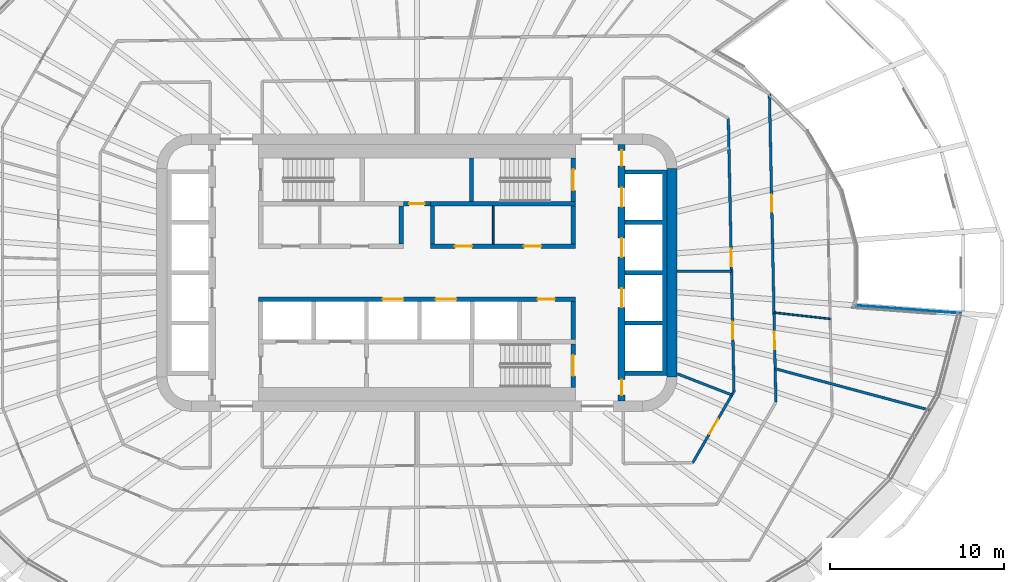
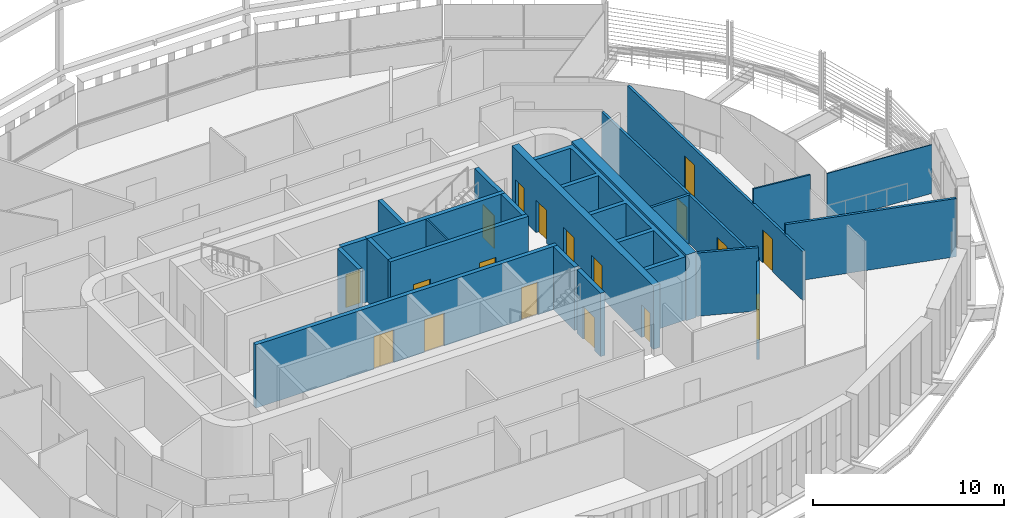
# One storey, part 16 of 28: 23 walls, 18 doors, 18 openings.
"""IFC4 building model written with IfcOpenShell, lengths in metres."""

from ifc_helpers import new_model, si_unit, direction, frame, frame_2d, origin, place, context, subcontext, project, spatial, polyline, rectangle, outline, extrude, material, layer, layer_set, type_object, element, fill, save


model = new_model("IFC4")

# Units and contexts
model_context = context("Model", 3, precision=1e-05, world=origin(), true_north=direction((0.0, 1.0)))
body_context = subcontext(model_context, "Body", "Model", "MODEL_VIEW")
ifc_project = project(units=[si_unit("LENGTHUNIT", "METRE"), si_unit("AREAUNIT", "SQUARE_METRE"), si_unit("VOLUMEUNIT", "CUBIC_METRE"), si_unit("PLANEANGLEUNIT", "RADIAN"), si_unit("MASSUNIT", "GRAM", prefix="KILO")], contexts=[model_context])

# Site, building, storey
site_placement = place(None, origin())
site = spatial("IfcSite", under=ifc_project, at=site_placement, CompositionType="ELEMENT")
building_placement = place(site_placement, origin())
building = spatial("IfcBuilding", under=site, at=building_placement, Name="Sahrelin Media Tower", CompositionType="ELEMENT")
storey_placement = place(building_placement, frame((0.0, 0.0, 75.60009765625)))
storey = spatial("IfcBuildingStorey", under=building, at=storey_placement, Name="L13", CompositionType="ELEMENT", Elevation=75.60009765625)

# Wall
ifc_material_1 = material(Name="Concrete C60/75", Category="concrete")
ifc_layer_1 = layer(ifc_material_1, 0.60009765625)
ifc_layer_set_1 = layer_set([ifc_layer_1], Name="Core wall 600")
wall_type_1 = type_object("IfcWallType", Name="Core wall 600", PredefinedType="SHEAR", material=ifc_layer_set_1)
wall_1_placement = place(storey_placement, frame((14.699951171875, -6.0, 0.0), z_axis=(0.0, 0.0, 1.0), x_axis=(0.0, 1.0, 0.0)))
element("IfcWall", 1, at=wall_1_placement, inside=storey, type_object=wall_type_1, Name="Core wall E L13", PredefinedType="SHEAR", context=body_context, shape_type="SweptSolid", body=[
    extrude(rectangle(XDim=12.0, YDim=0.60009765625, at=frame_2d((6.0, 0.0))), origin(), (0.0, 0.0, 1.0), 4.199951171875),
])

# Wall, opening, door
ifc_material_2 = material(Name="Fire-rated gypsum board partition")
ifc_layer_2 = layer(ifc_material_2, 0.25)
ifc_layer_set_2 = layer_set([ifc_layer_2], Name="Fire-rated lobby wall 250")
wall_type_2 = type_object("IfcWallType", Name="Fire-rated lobby wall 250", PredefinedType="PARTITIONING", material=ifc_layer_set_2)
wall_2_placement = place(storey_placement, frame((-0.77490234375, 3.97509765625, 0.0), z_axis=(0.0, 0.0, 1.0), x_axis=(1.0, 0.0, 0.0)))
wall_2 = element("IfcWall", 2, at=wall_2_placement, inside=storey, type_object=wall_type_2, Name="Core lobby wall", PredefinedType="PARTITIONING", context=body_context, shape_type="SweptSolid", body=[
    extrude(rectangle(XDim=1.5498046875, YDim=0.25, at=frame_2d((0.77490234375, 0.0))), origin(), (0.0, 0.0, 1.0), 4.0498046875),
])
opening_1_placement = place(wall_2_placement, frame((0.324951171875, 0.0, 0.0)))
opening_1 = element("IfcOpeningElement", 3, at=opening_1_placement, cuts=wall_2, Name="Opening L13-D06", PredefinedType="OPENING", context=body_context, shape_type="SweptSolid", body=[
    extrude(rectangle(XDim=0.89990234375, YDim=2.10009765625, at=frame_2d((0.449951171875, 1.050048828125))), frame((0.0, 0.125, 0.0), z_axis=(0.0, -1.0, 0.0), x_axis=(1.0, 0.0, 0.0)), (0.0, 0.0, 1.0), 0.25),
])
ifc_material_3 = material(Name="Steel fire door leaf", Category="steel")
door_type_1 = type_object("IfcDoorType", Name="Riser door 900 x 2100 EI 120", OperationType="NOTDEFINED", PredefinedType="DOOR", material=ifc_material_3)
door_1_placement = place(opening_1_placement, origin())
door_1 = element("IfcDoor", 4, at=door_1_placement, inside=storey, type_object=door_type_1, Name="Core room door", OperationType="SINGLE_SWING_LEFT", OverallHeight=2.10009765625, OverallWidth=0.89990234375, PredefinedType="DOOR", context=body_context, shape_type="SweptSolid", body=[
    extrude(rectangle(XDim=0.89990234375, YDim=2.10009765625, at=frame_2d((0.449951171875, 1.050048828125))), frame((0.0, 0.02490234375, 0.0), z_axis=(0.0, -1.0, 0.0), x_axis=(1.0, 0.0, 0.0)), (0.0, 0.0, 1.0), 0.050048828125),
])
fill(opening_1, door_1)

# Wall, openings, doors
wall_3_placement = place(storey_placement, frame((0.77490234375, 1.52490234375, 0.0), z_axis=(0.0, 0.0, 1.0), x_axis=(1.0, 0.0, 0.0)))
wall_3 = element("IfcWall", 5, at=wall_3_placement, inside=storey, type_object=wall_type_2, Name="Core lobby wall", PredefinedType="PARTITIONING", context=body_context, shape_type="SweptSolid", body=[
    extrude(rectangle(XDim=8.35009765625, YDim=0.25, at=frame_2d((4.175048828125, 0.0))), origin(), (0.0, 0.0, 1.0), 4.0498046875),
])
opening_2_placement = place(wall_3_placement, frame((1.41259765625, 0.0, 0.0)))
opening_2 = element("IfcOpeningElement", 6, at=opening_2_placement, cuts=wall_3, Name="Opening L13-D09", PredefinedType="OPENING", context=body_context, shape_type="SweptSolid", body=[
    extrude(rectangle(XDim=1.0, YDim=2.10009765625, at=frame_2d((0.5, 1.050048828125))), frame((0.0, 0.125, 0.0), z_axis=(0.0, -1.0, 0.0), x_axis=(1.0, 0.0, 0.0)), (0.0, 0.0, 1.0), 0.25),
])
opening_3_placement = place(wall_3_placement, frame((5.387451171875, 0.0, 0.0)))
opening_3 = element("IfcOpeningElement", 7, at=opening_3_placement, cuts=wall_3, Name="Opening L13-D10", PredefinedType="OPENING", context=body_context, shape_type="SweptSolid", body=[
    extrude(rectangle(XDim=1.0, YDim=2.10009765625, at=frame_2d((0.5, 1.050048828125))), frame((0.0, 0.125, 0.0), z_axis=(0.0, -1.0, 0.0), x_axis=(1.0, 0.0, 0.0)), (0.0, 0.0, 1.0), 0.25),
])
door_type_2 = type_object("IfcDoorType", Name="Fire door 1000 x 2100 EI 60", OperationType="NOTDEFINED", PredefinedType="DOOR", material=ifc_material_3)
door_2_placement = place(opening_2_placement, origin())
door_2 = element("IfcDoor", 8, at=door_2_placement, inside=storey, type_object=door_type_2, Name="Core room door", OperationType="SINGLE_SWING_LEFT", OverallHeight=2.10009765625, OverallWidth=1.0, PredefinedType="DOOR", context=body_context, shape_type="SweptSolid", body=[
    extrude(rectangle(XDim=1.0, YDim=2.10009765625, at=frame_2d((0.5, 1.050048828125))), frame((0.0, 0.02490234375, 0.0), z_axis=(0.0, -1.0, 0.0), x_axis=(1.0, 0.0, 0.0)), (0.0, 0.0, 1.0), 0.050048828125),
])
fill(opening_2, door_2)
door_3_placement = place(opening_3_placement, origin())
door_3 = element("IfcDoor", 9, at=door_3_placement, inside=storey, type_object=door_type_2, Name="Core room door", OperationType="SINGLE_SWING_LEFT", OverallHeight=2.10009765625, OverallWidth=1.0, PredefinedType="DOOR", context=body_context, shape_type="SweptSolid", body=[
    extrude(rectangle(XDim=1.0, YDim=2.10009765625, at=frame_2d((0.5, 1.050048828125))), frame((0.0, 0.02490234375, 0.0), z_axis=(0.0, -1.0, 0.0), x_axis=(1.0, 0.0, 0.0)), (0.0, 0.0, 1.0), 0.050048828125),
])
fill(opening_3, door_3)

# Walls
for number, where, z_axis, x_axis, name in (
    (10, (-0.89990234375, 1.64990234375, 0.0), (0.0, 0.0, 1.0), (0.0, 1.0, 0.0), "Core lobby wall"),
    (11, (9.0, 1.64990234375, 0.0), (0.0, 0.0, 1.0), (0.0, 1.0, 0.0), "Core lobby wall"),
    (12, (0.89990234375, 1.64990234375, 0.0), (0.0, 0.0, 1.0), (0.0, 1.0, 0.0), "Core lobby wall"),
):
    element("IfcWall", number, at=place(storey_placement, frame(where, z_axis=z_axis, x_axis=x_axis)), inside=storey, type_object=wall_type_2, Name=name, PredefinedType="PARTITIONING", context=body_context, shape_type="SweptSolid", body=[
        extrude(rectangle(XDim=2.2001953125, YDim=0.25, at=frame_2d((1.10009765625, 0.0))), origin(), (0.0, 0.0, 1.0), 4.0498046875),
    ])
ifc_layer_3 = layer(ifc_material_2, 0.10009765625)
ifc_layer_set_3 = layer_set([ifc_layer_3], Name="Fire-rated partition 100")
wall_type_3 = type_object("IfcWallType", Name="Fire-rated partition 100", PredefinedType="PARTITIONING", material=ifc_layer_set_3)
wall_4_placement = place(storey_placement, frame((4.39990234375, 1.64990234375, 0.0), z_axis=(0.0, 0.0, 1.0), x_axis=(0.0, 1.0, 0.0)))
element("IfcWall", 13, at=wall_4_placement, inside=storey, type_object=wall_type_3, Name="Core room partition", PredefinedType="PARTITIONING", context=body_context, shape_type="SweptSolid", body=[
    extrude(rectangle(XDim=2.2001953125, YDim=0.10009765625, at=frame_2d((1.10009765625, 0.0))), origin(), (0.0, 0.0, 1.0), 4.0498046875),
])

# Wall, openings, doors
ifc_layer_4 = layer(ifc_material_2, 0.14990234375)
ifc_layer_set_4 = layer_set([ifc_layer_4], Name="Fire-rated partition 150")
wall_type_4 = type_object("IfcWallType", Name="Fire-rated partition 150", PredefinedType="PARTITIONING", material=ifc_layer_set_4)
wall_5_placement = place(storey_placement, frame((17.944091796875, 8.89892578125, 0.0), z_axis=(0.0, 0.0, 1.0), x_axis=(0.020766159807, -0.999784360053, 0.0)))
wall_5 = element("IfcWall", 14, at=wall_5_placement, inside=storey, type_object=wall_type_4, Name="Wall", PredefinedType="PARTITIONING", context=body_context, shape_type="SweptSolid", body=[
    extrude(rectangle(XDim=15.7421875, YDim=0.14990234375, at=frame_2d((7.87109375, 0.0))), origin(), (0.0, 0.0, 1.0), 3.1181640625),
])
opening_4_placement = place(wall_5_placement, frame((11.72021484375, 0.0, 0.0)))
opening_4 = element("IfcOpeningElement", 15, at=opening_4_placement, cuts=wall_5, Name="Opening L13-D23", PredefinedType="OPENING", context=body_context, shape_type="SweptSolid", body=[
    extrude(rectangle(XDim=1.0, YDim=2.10009765625, at=frame_2d((0.5, 1.050048828125))), frame((0.0, 0.074951171875, 0.0), z_axis=(0.0, -1.0, 0.0), x_axis=(1.0, 0.0, 0.0)), (0.0, 0.0, 1.0), 0.14990234375),
])
opening_5_placement = place(wall_5_placement, frame((7.532958984375, 0.0, 0.0)))
opening_5 = element("IfcOpeningElement", 16, at=opening_5_placement, cuts=wall_5, Name="Opening L13-D24", PredefinedType="OPENING", context=body_context, shape_type="SweptSolid", body=[
    extrude(rectangle(XDim=1.0, YDim=2.10009765625, at=frame_2d((0.5, 1.050048828125))), frame((0.0, 0.074951171875, 0.0), z_axis=(0.0, -1.0, 0.0), x_axis=(1.0, 0.0, 0.0)), (0.0, 0.0, 1.0), 0.14990234375),
])
door_4_placement = place(opening_4_placement, origin())
door_4 = element("IfcDoor", 17, at=door_4_placement, inside=storey, type_object=door_type_2, Name="Fire door", OperationType="SINGLE_SWING_RIGHT", OverallHeight=2.10009765625, OverallWidth=1.0, PredefinedType="DOOR", context=body_context, shape_type="SweptSolid", body=[
    extrude(rectangle(XDim=1.0, YDim=2.10009765625, at=frame_2d((0.5, 1.050048828125))), frame((0.0, 0.02490234375, 0.0), z_axis=(0.0, -1.0, 0.0), x_axis=(1.0, 0.0, 0.0)), (0.0, 0.0, 1.0), 0.050048828125),
])
fill(opening_4, door_4)
door_5_placement = place(opening_5_placement, origin())
door_5 = element("IfcDoor", 18, at=door_5_placement, inside=storey, type_object=door_type_2, Name="Fire door", OperationType="SINGLE_SWING_LEFT", OverallHeight=2.10009765625, OverallWidth=1.0, PredefinedType="DOOR", context=body_context, shape_type="SweptSolid", body=[
    extrude(rectangle(XDim=1.0, YDim=2.10009765625, at=frame_2d((0.5, 1.050048828125))), frame((0.0, 0.02490234375, 0.0), z_axis=(0.0, -1.0, 0.0), x_axis=(1.0, 0.0, 0.0)), (0.0, 0.0, 1.0), 0.050048828125),
])
fill(opening_5, door_5)

wall_6_placement = place(storey_placement, frame((20.314453125, 10.301025390625, 0.0), z_axis=(0.0, 0.0, 1.0), x_axis=(0.020779303351, -0.999784086967, 0.0)))
wall_6 = element("IfcWall", 19, at=wall_6_placement, inside=storey, type_object=wall_type_4, Name="Wall", PredefinedType="PARTITIONING", context=body_context, shape_type="SweptSolid", body=[
    extrude(rectangle(XDim=17.764892578125, YDim=0.14990234375, at=frame_2d((8.88232421875, 0.0))), origin(), (0.0, 0.0, 1.0), 3.1181640625),
])
opening_6_placement = place(wall_6_placement, frame((13.713623046875, 0.0, 0.0)))
opening_6 = element("IfcOpeningElement", 20, at=opening_6_placement, cuts=wall_6, Name="Opening L13-D38", PredefinedType="OPENING", context=body_context, shape_type="SweptSolid", body=[
    extrude(rectangle(XDim=1.0, YDim=2.10009765625, at=frame_2d((0.5, 1.050048828125))), frame((0.0, 0.074951171875, 0.0), z_axis=(0.0, -1.0, 0.0), x_axis=(1.0, 0.0, 0.0)), (0.0, 0.0, 1.0), 0.14990234375),
])
opening_7_placement = place(wall_6_placement, frame((5.796630859375, 0.0, 0.0)))
opening_7 = element("IfcOpeningElement", 21, at=opening_7_placement, cuts=wall_6, Name="Opening L13-D39", PredefinedType="OPENING", context=body_context, shape_type="SweptSolid", body=[
    extrude(rectangle(XDim=1.0, YDim=2.10009765625, at=frame_2d((0.5, 1.050048828125))), frame((0.0, 0.074951171875, 0.0), z_axis=(0.0, -1.0, 0.0), x_axis=(1.0, 0.0, 0.0)), (0.0, 0.0, 1.0), 0.14990234375),
])
door_6_placement = place(opening_6_placement, origin())
door_6 = element("IfcDoor", 22, at=door_6_placement, inside=storey, type_object=door_type_2, Name="Fire door", OperationType="SINGLE_SWING_LEFT", OverallHeight=2.10009765625, OverallWidth=1.0, PredefinedType="DOOR", context=body_context, shape_type="SweptSolid", body=[
    extrude(rectangle(XDim=1.0, YDim=2.10009765625, at=frame_2d((0.5, 1.050048828125))), frame((0.0, 0.02490234375, 0.0), z_axis=(0.0, -1.0, 0.0), x_axis=(1.0, 0.0, 0.0)), (0.0, 0.0, 1.0), 0.050048828125),
])
fill(opening_6, door_6)
door_7_placement = place(opening_7_placement, origin())
door_7 = element("IfcDoor", 23, at=door_7_placement, inside=storey, type_object=door_type_2, Name="Fire door", OperationType="SINGLE_SWING_RIGHT", OverallHeight=2.10009765625, OverallWidth=1.0, PredefinedType="DOOR", context=body_context, shape_type="SweptSolid", body=[
    extrude(rectangle(XDim=1.0, YDim=2.10009765625, at=frame_2d((0.5, 1.050048828125))), frame((0.0, 0.02490234375, 0.0), z_axis=(0.0, -1.0, 0.0), x_axis=(1.0, 0.0, 0.0)), (0.0, 0.0, 1.0), 0.050048828125),
])
fill(opening_7, door_7)

# Walls
wall_7_placement = place(storey_placement, frame((15.0, -5.822021484375, 0.0), z_axis=(0.0, 0.0, 1.0), x_axis=(0.932341922019, -0.36157784839, 0.0)))
element("IfcWall", 24, at=wall_7_placement, inside=storey, type_object=wall_type_4, Name="Wall", PredefinedType="PARTITIONING", context=body_context, shape_type="SweptSolid", body=[
    extrude(rectangle(XDim=3.378662109375, YDim=0.14990234375, at=frame_2d((1.689453125, 0.0))), origin(), (0.0, 0.0, 1.0), 4.0498046875),
])
wall_8_placement = place(storey_placement, frame((20.64111328125, -5.531005859375, 0.0), z_axis=(0.0, 0.0, 1.0), x_axis=(0.965912819534, -0.258867582095, 0.0)))
element("IfcWall", 25, at=wall_8_placement, inside=storey, type_object=wall_type_4, Name="Wall", PredefinedType="PARTITIONING", context=body_context, shape_type="SweptSolid", body=[
    extrude(rectangle(XDim=9.2802734375, YDim=0.14990234375, at=frame_2d((4.64013671875, 0.0))), origin(), (0.0, 0.0, 1.0), 3.7265625),
])
wall_9_placement = place(storey_placement, frame((15.0, 0.080078125, 0.0), z_axis=(0.0, 0.0, 1.0), x_axis=(0.999985888971, 0.005312425035, 0.0)))
element("IfcWall", 26, at=wall_9_placement, inside=storey, type_object=wall_type_4, Name="Wall", PredefinedType="PARTITIONING", context=body_context, shape_type="SweptSolid", body=[
    extrude(rectangle(XDim=3.125, YDim=0.14990234375, at=frame_2d((1.5625, 0.0))), origin(), (0.0, 0.0, 1.0), 3.1181640625),
])

# Wall, opening, door
wall_10_placement = place(storey_placement, frame((15.891845703125, -10.9541015625, 0.0), z_axis=(0.0, 0.0, 1.0), x_axis=(0.50019540779, 0.865912555646, 0.0)))
wall_10 = element("IfcWall", 27, at=wall_10_placement, inside=storey, type_object=wall_type_4, Name="Wall", PredefinedType="PARTITIONING", context=body_context, shape_type="SweptSolid", body=[
    extrude(rectangle(XDim=4.7509765625, YDim=0.14990234375, at=frame_2d((2.37548828125, 0.0))), origin(), (0.0, 0.0, 1.0), 3.195068359375),
])
opening_8_placement = place(wall_10_placement, frame((1.923828125, 0.0, 0.0)))
opening_8 = element("IfcOpeningElement", 28, at=opening_8_placement, cuts=wall_10, Name="Opening L13-D22", PredefinedType="OPENING", context=body_context, shape_type="SweptSolid", body=[
    extrude(rectangle(XDim=1.0, YDim=2.10009765625, at=frame_2d((0.5, 1.050048828125))), frame((0.0, 0.074951171875, 0.0), z_axis=(0.0, -1.0, 0.0), x_axis=(1.0, 0.0, 0.0)), (0.0, 0.0, 1.0), 0.14990234375),
])
door_8_placement = place(opening_8_placement, origin())
door_8 = element("IfcDoor", 29, at=door_8_placement, inside=storey, type_object=door_type_2, Name="Fire door", OperationType="SINGLE_SWING_RIGHT", OverallHeight=2.10009765625, OverallWidth=1.0, PredefinedType="DOOR", context=body_context, shape_type="SweptSolid", body=[
    extrude(rectangle(XDim=1.0, YDim=2.10009765625, at=frame_2d((0.5, 1.050048828125))), frame((0.0, 0.02490234375, 0.0), z_axis=(0.0, -1.0, 0.0), x_axis=(1.0, 0.0, 0.0)), (0.0, 0.0, 1.0), 0.050048828125),
])
fill(opening_8, door_8)

# Wall
ifc_material_4 = material(Name="Clear glass", Category="glass")
ifc_layer_5 = layer(ifc_material_4, 0.050048828125)
ifc_layer_set_5 = layer_set([ifc_layer_5], Name="Glazed partition 50")
wall_type_5 = type_object("IfcWallType", Name="Glazed partition 50", PredefinedType="PARTITIONING", material=ifc_layer_set_5)
wall_11_placement = place(storey_placement, frame((25.281005859375, -1.885986328125, 0.0), z_axis=(0.0, 0.0, 1.0), x_axis=(0.997231640207, -0.074357620797, 0.0)))
element("IfcWall", 30, at=wall_11_placement, inside=storey, type_object=wall_type_5, Name="Wall", PredefinedType="PARTITIONING", context=body_context, shape_type="SweptSolid", body=[
    extrude(rectangle(XDim=6.10693359375, YDim=0.050048828125, at=frame_2d((3.053466796875, 0.0))), origin(), (0.0, 0.0, 1.0), 3.126953125),
])

# Wall, openings, doors
ifc_layer_6 = layer(ifc_material_1, 0.25)
ifc_layer_set_6 = layer_set([ifc_layer_6], Name="Lift shaft wall 250")
wall_type_6 = type_object("IfcWallType", Name="Lift shaft wall 250", PredefinedType="SOLIDWALL", material=ifc_layer_set_6)
wall_12_placement = place(storey_placement, frame((-9.125, -1.52490234375, 0.0), z_axis=(0.0, 0.0, 1.0), x_axis=(1.0, 0.0, 0.0)))
wall_12 = element("IfcWall", 31, at=wall_12_placement, inside=storey, type_object=wall_type_6, Name="Lift shaft wall", PredefinedType="SOLIDWALL", context=body_context, shape_type="SweptSolid", body=[
    extrude(rectangle(XDim=18.25, YDim=0.25, at=frame_2d((9.125, 0.0))), origin(), (0.0, 0.0, 1.0), 4.0498046875),
])
opening_9_placement = place(wall_12_placement, frame((7.14990234375, 0.0, 0.0)))
opening_9 = element("IfcOpeningElement", 32, at=opening_9_placement, cuts=wall_12, Name="Opening L13-LD-SV1", PredefinedType="OPENING", context=body_context, shape_type="SweptSolid", body=[
    extrude(rectangle(XDim=1.199951171875, YDim=2.10009765625, at=frame_2d((0.60009765625, 1.050048828125))), frame((0.0, 0.125, 0.0), z_axis=(0.0, -1.0, 0.0), x_axis=(1.0, 0.0, 0.0)), (0.0, 0.0, 1.0), 0.25),
])
opening_10_placement = place(wall_12_placement, frame((10.199951171875, 0.0, 0.0)))
opening_10 = element("IfcOpeningElement", 33, at=opening_10_placement, cuts=wall_12, Name="Opening L13-LD-SV2", PredefinedType="OPENING", context=body_context, shape_type="SweptSolid", body=[
    extrude(rectangle(XDim=1.199951171875, YDim=2.10009765625, at=frame_2d((0.60009765625, 1.050048828125))), frame((0.0, 0.125, 0.0), z_axis=(0.0, -1.0, 0.0), x_axis=(1.0, 0.0, 0.0)), (0.0, 0.0, 1.0), 0.25),
])
opening_11_placement = place(wall_12_placement, frame((16.074951171875, 0.0, 0.0)))
opening_11 = element("IfcOpeningElement", 34, at=opening_11_placement, cuts=wall_12, Name="Opening L13-D11", PredefinedType="OPENING", context=body_context, shape_type="SweptSolid", body=[
    extrude(rectangle(XDim=1.0, YDim=2.10009765625, at=frame_2d((0.5, 1.050048828125))), frame((0.0, 0.125, 0.0), z_axis=(0.0, -1.0, 0.0), x_axis=(1.0, 0.0, 0.0)), (0.0, 0.0, 1.0), 0.25),
])
door_9_placement = place(opening_11_placement, origin())
door_9 = element("IfcDoor", 35, at=door_9_placement, inside=storey, type_object=door_type_2, Name="Core room door", OperationType="SINGLE_SWING_RIGHT", OverallHeight=2.10009765625, OverallWidth=1.0, PredefinedType="DOOR", context=body_context, shape_type="SweptSolid", body=[
    extrude(rectangle(XDim=1.0, YDim=2.10009765625, at=frame_2d((0.5, 1.050048828125))), frame((0.0, 0.02490234375, 0.0), z_axis=(0.0, -1.0, 0.0), x_axis=(1.0, 0.0, 0.0)), (0.0, 0.0, 1.0), 0.050048828125),
])
fill(opening_11, door_9)
ifc_material_5 = material(Name="Stainless steel", Category="steel")
door_type_3 = type_object("IfcDoorType", Name="Lift landing door 1200 x 2100 EI 120", OperationType="DOUBLE_DOOR_SLIDING", PredefinedType="DOOR", material=ifc_material_5)
door_10_placement = place(opening_9_placement, origin())
door_10 = element("IfcDoor", 36, at=door_10_placement, inside=storey, type_object=door_type_3, Name="Lift landing door SV1", OperationType="DOUBLE_DOOR_SLIDING", OverallHeight=2.10009765625, OverallWidth=1.199951171875, PredefinedType="DOOR", context=body_context, shape_type="SweptSolid", body=[
    extrude(rectangle(XDim=1.199951171875, YDim=2.10009765625, at=frame_2d((0.60009765625, 1.050048828125))), frame((0.0, 0.02490234375, 0.0), z_axis=(0.0, -1.0, 0.0), x_axis=(1.0, 0.0, 0.0)), (0.0, 0.0, 1.0), 0.050048828125),
])
fill(opening_9, door_10)
door_11_placement = place(opening_10_placement, origin())
door_11 = element("IfcDoor", 37, at=door_11_placement, inside=storey, type_object=door_type_3, Name="Lift landing door SV2", OperationType="DOUBLE_DOOR_SLIDING", OverallHeight=2.10009765625, OverallWidth=1.199951171875, PredefinedType="DOOR", context=body_context, shape_type="SweptSolid", body=[
    extrude(rectangle(XDim=1.199951171875, YDim=2.10009765625, at=frame_2d((0.60009765625, 1.050048828125))), frame((0.0, 0.02490234375, 0.0), z_axis=(0.0, -1.0, 0.0), x_axis=(1.0, 0.0, 0.0)), (0.0, 0.0, 1.0), 0.050048828125),
])
fill(opening_10, door_11)

# Walls
wall_13_placement = place(storey_placement, frame((9.0, -3.85009765625, 0.0), z_axis=(0.0, 0.0, 1.0), x_axis=(0.0, 1.0, 0.0)))
element("IfcWall", 38, at=wall_13_placement, inside=storey, type_object=wall_type_6, Name="Lift shaft wall", PredefinedType="SOLIDWALL", context=body_context, shape_type="SweptSolid", body=[
    extrude(rectangle(XDim=2.2001953125, YDim=0.25, at=frame_2d((1.10009765625, 0.0))), origin(), (0.0, 0.0, 1.0), 4.0498046875),
])
wall_14_placement = place(storey_placement, origin())
element("IfcWall", 39, at=wall_14_placement, inside=storey, type_object=wall_type_6, Name="Lift shaft wall", PredefinedType="SOLIDWALL", context=body_context, shape_type="SweptSolid", body=[
    extrude(outline(polyline([(12.0, -5.675048828125), (12.0, -5.925048828125), (14.14990234375, -5.925048828125), (14.39990234375, -5.925048828125), (14.39990234375, -5.675048828125), (14.39990234375, -3.02490234375), (14.39990234375, -2.77490234375), (14.39990234375, -0.125), (14.39990234375, 0.125), (14.39990234375, 2.77490234375), (14.39990234375, 3.02490234375), (14.39990234375, 5.675048828125), (14.39990234375, 5.925048828125), (14.14990234375, 5.925048828125), (12.0, 5.925048828125), (12.0, 5.675048828125), (14.14990234375, 5.675048828125), (14.14990234375, 3.02490234375), (12.0, 3.02490234375), (12.0, 2.77490234375), (14.14990234375, 2.77490234375), (14.14990234375, 0.125), (12.0, 0.125), (12.0, -0.125), (14.14990234375, -0.125), (14.14990234375, -2.77490234375), (12.0, -2.77490234375), (12.0, -3.02490234375), (14.14990234375, -3.02490234375), (14.14990234375, -5.675048828125), (12.0, -5.675048828125)])), origin(), (0.0, 0.0, 1.0), 4.0498046875),
])

# Wall, openings, doors
ifc_layer_7 = layer(ifc_material_1, 0.39990234375)
ifc_layer_set_7 = layer_set([ifc_layer_7], Name="Lift shaft wall 400")
wall_type_7 = type_object("IfcWallType", Name="Lift shaft wall 400", PredefinedType="SOLIDWALL", material=ifc_layer_set_7)
wall_15_placement = place(storey_placement, frame((11.800048828125, -7.39990234375, 0.0), z_axis=(0.0, 0.0, 1.0), x_axis=(0.0, 1.0, 0.0)))
wall_15 = element("IfcWall", 40, at=wall_15_placement, inside=storey, type_object=wall_type_7, Name="Lift shaft wall", PredefinedType="SOLIDWALL", context=body_context, shape_type="SweptSolid", body=[
    extrude(rectangle(XDim=14.7998046875, YDim=0.39990234375, at=frame_2d((7.39990234375, 0.0))), origin(), (0.0, 0.0, 1.0), 4.0498046875),
])
opening_12_placement = place(wall_15_placement, frame((11.199951171875, 0.0, 0.0)))
opening_12 = element("IfcOpeningElement", 41, at=opening_12_placement, cuts=wall_15, Name="Opening L13-LD-LR4", PredefinedType="OPENING", context=body_context, shape_type="SweptSolid", body=[
    extrude(rectangle(XDim=1.10009765625, YDim=2.10009765625, at=frame_2d((0.550048828125, 1.050048828125))), frame((0.0, 0.199951171875, 0.0), z_axis=(0.0, -1.0, 0.0), x_axis=(1.0, 0.0, 0.0)), (0.0, 0.0, 1.0), 0.39990234375),
])
opening_13_placement = place(wall_15_placement, frame((8.300048828125, 0.0, 0.0)))
opening_13 = element("IfcOpeningElement", 42, at=opening_13_placement, cuts=wall_15, Name="Opening L13-LD-LR5", PredefinedType="OPENING", context=body_context, shape_type="SweptSolid", body=[
    extrude(rectangle(XDim=1.10009765625, YDim=2.10009765625, at=frame_2d((0.550048828125, 1.050048828125))), frame((0.0, 0.199951171875, 0.0), z_axis=(0.0, -1.0, 0.0), x_axis=(1.0, 0.0, 0.0)), (0.0, 0.0, 1.0), 0.39990234375),
])
opening_14_placement = place(wall_15_placement, frame((5.39990234375, 0.0, 0.0)))
opening_14 = element("IfcOpeningElement", 43, at=opening_14_placement, cuts=wall_15, Name="Opening L13-LD-LR6", PredefinedType="OPENING", context=body_context, shape_type="SweptSolid", body=[
    extrude(rectangle(XDim=1.10009765625, YDim=2.10009765625, at=frame_2d((0.550048828125, 1.050048828125))), frame((0.0, 0.199951171875, 0.0), z_axis=(0.0, -1.0, 0.0), x_axis=(1.0, 0.0, 0.0)), (0.0, 0.0, 1.0), 0.39990234375),
])
opening_15_placement = place(wall_15_placement, frame((13.552490234375, 0.0, 0.0)))
opening_15 = element("IfcOpeningElement", 44, at=opening_15_placement, cuts=wall_15, Name="Opening L13-D14", PredefinedType="OPENING", context=body_context, shape_type="SweptSolid", body=[
    extrude(rectangle(XDim=0.89990234375, YDim=2.10009765625, at=frame_2d((0.449951171875, 1.050048828125))), frame((0.0, 0.199951171875, 0.0), z_axis=(0.0, -1.0, 0.0), x_axis=(1.0, 0.0, 0.0)), (0.0, 0.0, 1.0), 0.39990234375),
])
opening_16_placement = place(wall_15_placement, frame((0.347412109375, 0.0, 0.0)))
opening_16 = element("IfcOpeningElement", 45, at=opening_16_placement, cuts=wall_15, Name="Opening L13-D15", PredefinedType="OPENING", context=body_context, shape_type="SweptSolid", body=[
    extrude(rectangle(XDim=0.89990234375, YDim=2.10009765625, at=frame_2d((0.449951171875, 1.050048828125))), frame((0.0, 0.199951171875, 0.0), z_axis=(0.0, -1.0, 0.0), x_axis=(1.0, 0.0, 0.0)), (0.0, 0.0, 1.0), 0.39990234375),
])
door_type_4 = type_object("IfcDoorType", Name="Lift landing door 1100 x 2100 EI 120", OperationType="DOUBLE_DOOR_SLIDING", PredefinedType="DOOR", material=ifc_material_5)
door_12_placement = place(opening_12_placement, origin())
door_12 = element("IfcDoor", 46, at=door_12_placement, inside=storey, type_object=door_type_4, Name="Lift landing door LR4", OperationType="DOUBLE_DOOR_SLIDING", OverallHeight=2.10009765625, OverallWidth=1.10009765625, PredefinedType="DOOR", context=body_context, shape_type="SweptSolid", body=[
    extrude(rectangle(XDim=1.10009765625, YDim=2.10009765625, at=frame_2d((0.550048828125, 1.050048828125))), frame((0.0, 0.02490234375, 0.0), z_axis=(0.0, -1.0, 0.0), x_axis=(1.0, 0.0, 0.0)), (0.0, 0.0, 1.0), 0.050048828125),
])
fill(opening_12, door_12)
door_13_placement = place(opening_13_placement, origin())
door_13 = element("IfcDoor", 47, at=door_13_placement, inside=storey, type_object=door_type_4, Name="Lift landing door LR5", OperationType="DOUBLE_DOOR_SLIDING", OverallHeight=2.10009765625, OverallWidth=1.10009765625, PredefinedType="DOOR", context=body_context, shape_type="SweptSolid", body=[
    extrude(rectangle(XDim=1.10009765625, YDim=2.10009765625, at=frame_2d((0.550048828125, 1.050048828125))), frame((0.0, 0.02490234375, 0.0), z_axis=(0.0, -1.0, 0.0), x_axis=(1.0, 0.0, 0.0)), (0.0, 0.0, 1.0), 0.050048828125),
])
fill(opening_13, door_13)
door_14_placement = place(opening_14_placement, origin())
door_14 = element("IfcDoor", 48, at=door_14_placement, inside=storey, type_object=door_type_4, Name="Lift landing door LR6", OperationType="DOUBLE_DOOR_SLIDING", OverallHeight=2.10009765625, OverallWidth=1.10009765625, PredefinedType="DOOR", context=body_context, shape_type="SweptSolid", body=[
    extrude(rectangle(XDim=1.10009765625, YDim=2.10009765625, at=frame_2d((0.550048828125, 1.050048828125))), frame((0.0, 0.02490234375, 0.0), z_axis=(0.0, -1.0, 0.0), x_axis=(1.0, 0.0, 0.0)), (0.0, 0.0, 1.0), 0.050048828125),
])
fill(opening_14, door_14)
door_15_placement = place(opening_15_placement, origin())
door_15 = element("IfcDoor", 49, at=door_15_placement, inside=storey, type_object=door_type_1, Name="Riser door", OperationType="SINGLE_SWING_RIGHT", OverallHeight=2.10009765625, OverallWidth=0.89990234375, PredefinedType="DOOR", context=body_context, shape_type="SweptSolid", body=[
    extrude(rectangle(XDim=0.89990234375, YDim=2.10009765625, at=frame_2d((0.449951171875, 1.050048828125))), frame((0.0, 0.02490234375, 0.0), z_axis=(0.0, -1.0, 0.0), x_axis=(1.0, 0.0, 0.0)), (0.0, 0.0, 1.0), 0.050048828125),
])
fill(opening_15, door_15)
door_16_placement = place(opening_16_placement, origin())
door_16 = element("IfcDoor", 50, at=door_16_placement, inside=storey, type_object=door_type_1, Name="Riser door", OperationType="SINGLE_SWING_RIGHT", OverallHeight=2.10009765625, OverallWidth=0.89990234375, PredefinedType="DOOR", context=body_context, shape_type="SweptSolid", body=[
    extrude(rectangle(XDim=0.89990234375, YDim=2.10009765625, at=frame_2d((0.449951171875, 1.050048828125))), frame((0.0, 0.02490234375, 0.0), z_axis=(0.0, -1.0, 0.0), x_axis=(1.0, 0.0, 0.0)), (0.0, 0.0, 1.0), 0.050048828125),
])
fill(opening_16, door_16)

# Wall
ifc_material_6 = material(Name="Gypsum board partition")
ifc_layer_8 = layer(ifc_material_6, 0.10009765625)
ifc_layer_set_8 = layer_set([ifc_layer_8], Name="Partition 100")
wall_type_8 = type_object("IfcWallType", Name="Partition 100", PredefinedType="PARTITIONING", material=ifc_layer_set_8)
wall_16_placement = place(storey_placement, frame((20.574951171875, -2.297119140625, 0.0), z_axis=(0.0, 0.0, 1.0), x_axis=(0.993815008467, -0.111048318069, 0.0)))
element("IfcWall", 51, at=wall_16_placement, inside=storey, type_object=wall_type_8, Name="Wall", PredefinedType="PARTITIONING", context=body_context, shape_type="SweptSolid", body=[
    extrude(rectangle(XDim=3.25830078125, YDim=0.10009765625, at=frame_2d((1.629150390625, 0.0))), origin(), (0.0, 0.0, 1.0), 4.0498046875),
])

# Wall, opening, door
ifc_layer_9 = layer(ifc_material_1, 0.25)
ifc_layer_set_9 = layer_set([ifc_layer_9], Name="Stair enclosure wall 250")
wall_type_9 = type_object("IfcWallType", Name="Stair enclosure wall 250", PredefinedType="SOLIDWALL", material=ifc_layer_set_9)
wall_17_placement = place(storey_placement, frame((9.0, 4.10009765625, 0.0), z_axis=(0.0, 0.0, 1.0), x_axis=(0.0, 1.0, 0.0)))
wall_17 = element("IfcWall", 52, at=wall_17_placement, inside=storey, type_object=wall_type_9, Name="Stair enclosure wall", PredefinedType="SOLIDWALL", context=body_context, shape_type="SweptSolid", body=[
    extrude(rectangle(XDim=2.5, YDim=0.25, at=frame_2d((1.25, 0.0))), origin(), (0.0, 0.0, 1.0), 4.0498046875),
])
opening_17_placement = place(wall_17_placement, frame((0.64990234375, 0.0, 0.0)))
opening_17 = element("IfcOpeningElement", 53, at=opening_17_placement, cuts=wall_17, Name="Opening L13-D02", PredefinedType="OPENING", context=body_context, shape_type="SweptSolid", body=[
    extrude(rectangle(XDim=1.199951171875, YDim=2.10009765625, at=frame_2d((0.60009765625, 1.050048828125))), frame((0.0, 0.125, 0.0), z_axis=(0.0, -1.0, 0.0), x_axis=(1.0, 0.0, 0.0)), (0.0, 0.0, 1.0), 0.25),
])
door_type_5 = type_object("IfcDoorType", Name="Stair door 1200 x 2100 EI 120", OperationType="NOTDEFINED", PredefinedType="DOOR", material=ifc_material_3)
door_17_placement = place(opening_17_placement, origin())
door_17 = element("IfcDoor", 54, at=door_17_placement, inside=storey, type_object=door_type_5, Name="Stair door ST3", OperationType="SINGLE_SWING_LEFT", OverallHeight=2.10009765625, OverallWidth=1.199951171875, PredefinedType="DOOR", context=body_context, shape_type="SweptSolid", body=[
    extrude(rectangle(XDim=1.199951171875, YDim=2.10009765625, at=frame_2d((0.60009765625, 1.050048828125))), frame((0.0, 0.02490234375, 0.0), z_axis=(0.0, -1.0, 0.0), x_axis=(1.0, 0.0, 0.0)), (0.0, 0.0, 1.0), 0.050048828125),
])
fill(opening_17, door_17)

wall_18_placement = place(storey_placement, frame((9.0, -6.60009765625, 0.0), z_axis=(0.0, 0.0, 1.0), x_axis=(0.0, 1.0, 0.0)))
wall_18 = element("IfcWall", 55, at=wall_18_placement, inside=storey, type_object=wall_type_9, Name="Stair enclosure wall", PredefinedType="SOLIDWALL", context=body_context, shape_type="SweptSolid", body=[
    extrude(rectangle(XDim=2.5, YDim=0.25, at=frame_2d((1.25, 0.0))), origin(), (0.0, 0.0, 1.0), 4.0498046875),
])
opening_18_placement = place(wall_18_placement, frame((0.64990234375, 0.0, 0.0)))
opening_18 = element("IfcOpeningElement", 56, at=opening_18_placement, cuts=wall_18, Name="Opening L13-D03", PredefinedType="OPENING", context=body_context, shape_type="SweptSolid", body=[
    extrude(rectangle(XDim=1.199951171875, YDim=2.10009765625, at=frame_2d((0.60009765625, 1.050048828125))), frame((0.0, 0.125, 0.0), z_axis=(0.0, -1.0, 0.0), x_axis=(1.0, 0.0, 0.0)), (0.0, 0.0, 1.0), 0.25),
])
door_18_placement = place(opening_18_placement, origin())
door_18 = element("IfcDoor", 57, at=door_18_placement, inside=storey, type_object=door_type_5, Name="Stair door ST2", OperationType="SINGLE_SWING_LEFT", OverallHeight=2.10009765625, OverallWidth=1.199951171875, PredefinedType="DOOR", context=body_context, shape_type="SweptSolid", body=[
    extrude(rectangle(XDim=1.199951171875, YDim=2.10009765625, at=frame_2d((0.60009765625, 1.050048828125))), frame((0.0, 0.02490234375, 0.0), z_axis=(0.0, -1.0, 0.0), x_axis=(1.0, 0.0, 0.0)), (0.0, 0.0, 1.0), 0.050048828125),
])
fill(opening_18, door_18)

# Walls
wall_19_placement = place(storey_placement, frame((3.14990234375, 4.10009765625, 0.0), z_axis=(0.0, 0.0, 1.0), x_axis=(0.0, 1.0, 0.0)))
element("IfcWall", 58, at=wall_19_placement, inside=storey, type_object=wall_type_9, Name="Stair enclosure wall", PredefinedType="SOLIDWALL", context=body_context, shape_type="SweptSolid", body=[
    extrude(rectangle(XDim=2.5, YDim=0.25, at=frame_2d((1.25, 0.0))), origin(), (0.0, 0.0, 1.0), 4.0498046875),
])
wall_20_placement = place(storey_placement, frame((0.77490234375, 3.97509765625, 0.0), z_axis=(0.0, 0.0, 1.0), x_axis=(1.0, 0.0, 0.0)))
element("IfcWall", 59, at=wall_20_placement, inside=storey, type_object=wall_type_9, Name="Stair enclosure wall", PredefinedType="SOLIDWALL", context=body_context, shape_type="SweptSolid", body=[
    extrude(rectangle(XDim=8.35009765625, YDim=0.25, at=frame_2d((4.175048828125, 0.0))), origin(), (0.0, 0.0, 1.0), 4.0498046875),
])

save(model, "model.ifc")
